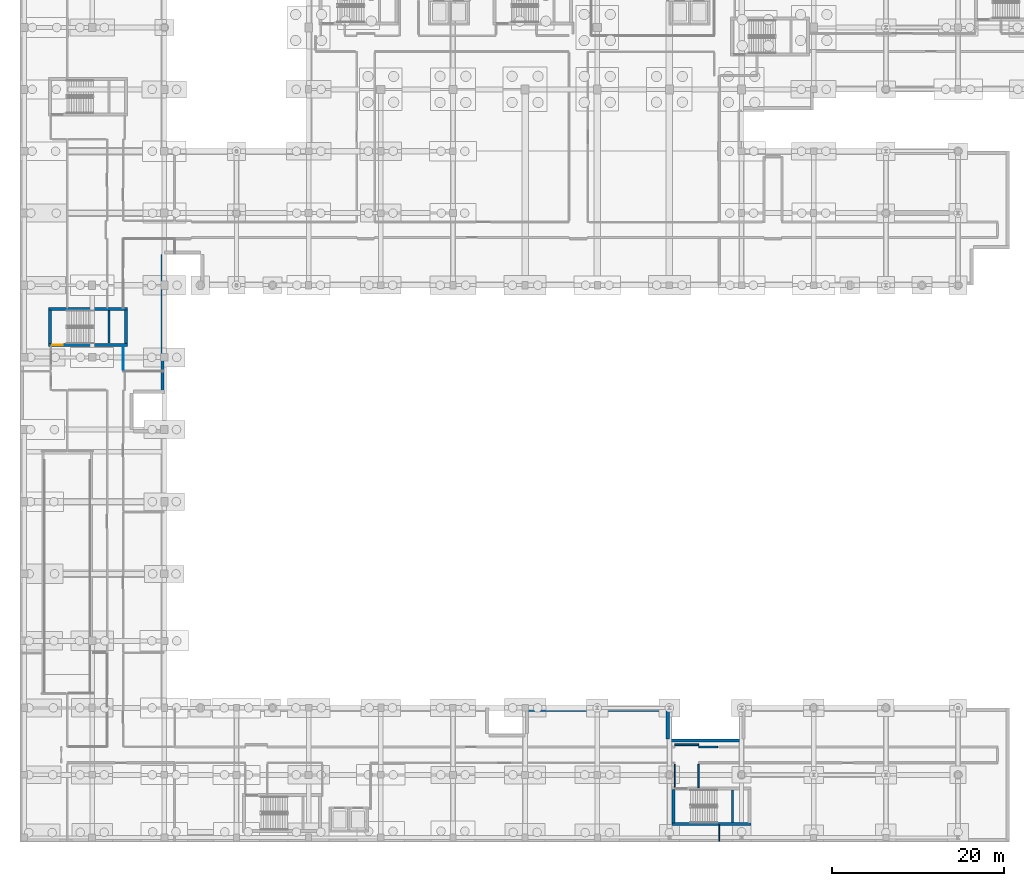
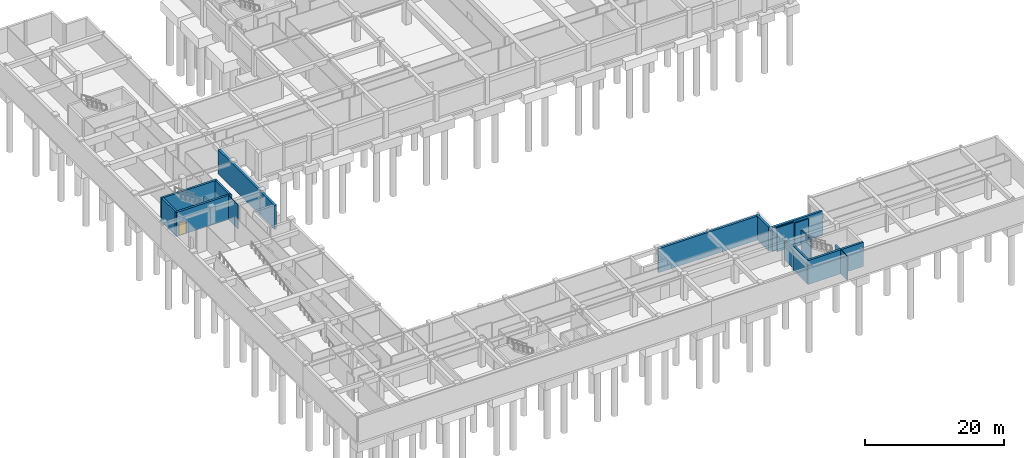
# One storey, part 27 of 42: 19 walls, 1 door, 1 opening.
"""IFC4 building model written with IfcOpenShell, lengths in metres."""

import ifcopenshell
import ifcopenshell.guid

model = None  # the IFC model being written
_history = None  # IfcOwnerHistory: only IFC2X3 demands one
_inside = {}  # id of a spatial element -> (the spatial element, [elements in it])
_under = {}  # id of a project, library or spatial element -> (it, [spatial elements below it])
_declared = {}  # id of a project -> (the project, [libraries it declares])
_typed = {}  # id of a type object -> (the type object, [elements of that type])
_made_of = {}  # id of a material, layer set ... -> (it, [elements and type objects made of it])


def new_model(schema):
    """Start an empty IFC model of exactly this schema.

    Asked for "IFC4X3", IfcOpenShell would pick the latest addendum, in which some entities
    have other attributes; the version numbers below select the first issue.
    IFC2X3 requires an IfcOwnerHistory on every rooted entity: one is made here for all.
    """
    global model, _history
    if schema == "IFC4X3":
        model = ifcopenshell.file(schema_version=(4, 3, 0, 0))
    else:
        model = ifcopenshell.file(schema=schema)
    _inside.clear()
    _under.clear()
    _declared.clear()
    _typed.clear()
    _made_of.clear()
    _history = None
    if model.schema == "IFC2X3":
        org = make("IfcOrganization", Name="unknown")
        user = make(
            "IfcPersonAndOrganization",
            ThePerson=make("IfcPerson", FamilyName="unknown"),
            TheOrganization=org,
        )
        app = make(
            "IfcApplication",
            ApplicationDeveloper=org,
            Version="unknown",
            ApplicationFullName="unknown",
            ApplicationIdentifier="unknown",
        )
        _history = make(
            "IfcOwnerHistory",
            OwningUser=user,
            OwningApplication=app,
            ChangeAction="ADDED",
            CreationDate=0,
        )
    return model


def make(cls, **values):
    """One entity of the class cls with the attributes given. An attribute that is None is left unset."""
    return model.create_entity(
        cls, **{name: value for name, value in values.items() if value is not None}
    )


def rooted(cls, **values):
    """An entity with a GlobalId (a new one), such as an element, a storey or a relation."""
    return make(cls, GlobalId=ifcopenshell.guid.new(), OwnerHistory=_history, **values)


def si_unit(unit_type, name, prefix=None):
    """IfcSIUnit, for example si_unit("LENGTHUNIT", "METRE", prefix="MILLI")."""
    return make("IfcSIUnit", UnitType=unit_type, Prefix=prefix, Name=name)


def assignment(units):
    """IfcUnitAssignment: the units of a project."""
    return None if units is None else make("IfcUnitAssignment", Units=units)


def point(xyz):
    """IfcCartesianPoint."""
    return None if xyz is None else make("IfcCartesianPoint", Coordinates=xyz)


def direction(xyz):
    """IfcDirection."""
    return None if xyz is None else make("IfcDirection", DirectionRatios=xyz)


def frame(location, z_axis=None, x_axis=None):
    """IfcAxis2Placement3D, a coordinate frame: its origin and axes. An axis left out is left unset."""
    return make(
        "IfcAxis2Placement3D",
        Location=point(location),
        Axis=direction(z_axis),
        RefDirection=direction(x_axis),
    )


def frame_2d(location, x_axis=None):
    """IfcAxis2Placement2D, a coordinate frame in the plane: its origin and x axis."""
    return make(
        "IfcAxis2Placement2D", Location=point(location), RefDirection=direction(x_axis)
    )


def origin():
    """The frame at (0, 0, 0) with its axes left unset."""
    return frame((0.0, 0.0, 0.0))


def place(relative_to, where):
    """IfcLocalPlacement: puts the frame where relative to a parent placement (None: the world)."""
    return make(
        "IfcLocalPlacement", PlacementRelTo=relative_to, RelativePlacement=where
    )


def context(
    kind, dimensions, precision=None, world=None, true_north=None, identifier=None
):
    """IfcGeometricRepresentationContext, for example the 3D "Model" context."""
    return make(
        "IfcGeometricRepresentationContext",
        ContextIdentifier=identifier,
        ContextType=kind,
        CoordinateSpaceDimension=dimensions,
        Precision=precision,
        WorldCoordinateSystem=world,
        TrueNorth=true_north,
    )


def subcontext(parent, identifier, kind, view, scale=None):
    """IfcGeometricRepresentationSubContext, for example "Body" below "Model"."""
    return make(
        "IfcGeometricRepresentationSubContext",
        ContextIdentifier=identifier,
        ContextType=kind,
        ParentContext=parent,
        TargetScale=scale,
        TargetView=view,
    )


def project(units=None, contexts=None):
    """IfcProject with its units and contexts."""
    return rooted(
        "IfcProject",
        Name="project",
        RepresentationContexts=contexts,
        UnitsInContext=assignment(units),
    )


def spatial(cls, under=None, at=None, **own):
    """A site, building, storey or space (cls), placed at a placement, below another one or the project."""
    s = rooted(cls, ObjectPlacement=at, **own)
    if under is not None:
        _under.setdefault(under.id(), (under, []))[1].append(s)
    return s


def profile(cls, at=None, kind="AREA", **sizes):
    """A parametric profile (cls). Its sizes go by their IFC names, for example OverallWidth=200.0."""
    return make(cls, ProfileType=kind, Position=at, **sizes)


def rectangle(**sizes):
    """IfcRectangleProfileDef."""
    return profile("IfcRectangleProfileDef", **sizes)


def extrude(swept, where, along, depth):
    """IfcExtrudedAreaSolid: the profile swept, set in the frame where, extruded along a direction by depth."""
    return make(
        "IfcExtrudedAreaSolid",
        SweptArea=swept,
        Position=where,
        ExtrudedDirection=direction(along),
        Depth=depth,
    )


def shape(context_of_items, identifier, shape_type, items):
    """IfcShapeRepresentation: the items that make up one representation, for example the "Body"."""
    return make(
        "IfcShapeRepresentation",
        ContextOfItems=context_of_items,
        RepresentationIdentifier=identifier,
        RepresentationType=shape_type,
        Items=items,
    )


def material(Name=None, Category=None):
    """IfcMaterial."""
    return make("IfcMaterial", Name=Name, Category=Category)


def layer(
    of_material, thickness, ventilated=None, Name=None, Category=None, Priority=None
):
    """IfcMaterialLayer: one layer of a wall or slab, of a material (None: an air gap)."""
    return make(
        "IfcMaterialLayer",
        Material=of_material,
        LayerThickness=thickness,
        IsVentilated=ventilated,
        Name=Name,
        Category=Category,
        Priority=Priority,
    )


def layer_set(layers, Name=None):
    """IfcMaterialLayerSet."""
    return make("IfcMaterialLayerSet", MaterialLayers=layers, LayerSetName=Name)


def made_of(thing, what):
    """Note that an element or type object is made of a material, layer set ...; save() writes the relation."""
    if what is not None:
        _made_of.setdefault(what.id(), (what, []))[1].append(thing)
    return thing


def type_object(cls, material=None, **own):
    """A type object (cls), such as IfcWallType, which elements share."""
    return made_of(rooted(cls, **own), material)


def element(
    cls,
    number,
    at=None,
    inside=None,
    cuts=None,
    type_object=None,
    material=None,
    context=None,
    identifier="Body",
    shape_type=None,
    held_by="IfcProductDefinitionShape",
    body=None,
    shapes=None,
    **own,
):
    """One element of the class cls, such as IfcWall. Its Tag is "e" and its number.

    at: its placement. inside: the storey or other place that contains it. cuts: it is an
    opening in that element (IfcRelVoidsElement). A single representation is given by context,
    identifier, shape_type and body (its items); several are given by shapes. held_by: the class
    of the entity that holds the representations. save() writes the other relations.
    """
    e = rooted(cls, Tag="e%d" % number, ObjectPlacement=at, **own)
    if body is not None:
        shapes = [shape(context, identifier, shape_type, body)]
    if shapes is not None:
        e.Representation = make(held_by, Representations=shapes)
    if inside is not None:
        _inside.setdefault(inside.id(), (inside, []))[1].append(e)
    if cuts is not None:
        rooted(
            "IfcRelVoidsElement", RelatingBuildingElement=cuts, RelatedOpeningElement=e
        )
    if type_object is not None:
        _typed.setdefault(type_object.id(), (type_object, []))[1].append(e)
    return made_of(e, material)


def fill(opening, filler):
    """IfcRelFillsElement: the door or window that sits in an opening."""
    return rooted(
        "IfcRelFillsElement",
        RelatingOpeningElement=opening,
        RelatedBuildingElement=filler,
    )


def aggregate(whole, parts):
    """IfcRelAggregates: a whole, such as a stair, and the parts it consists of."""
    return rooted("IfcRelAggregates", RelatingObject=whole, RelatedObjects=parts)


def save(model, path):
    """Write the relations noted so far, then the file.

    IfcRelAggregates (storeys below a building ...), IfcRelContainedInSpatialStructure (elements
    in a storey), IfcRelDefinesByType, IfcRelAssociatesMaterial and IfcRelDeclares: one each for
    every whole, place, type object, material and project.
    """
    for whole, parts in _under.values():
        aggregate(whole, parts)
    for where, things in _inside.values():
        rooted(
            "IfcRelContainedInSpatialStructure",
            RelatedElements=things,
            RelatingStructure=where,
        )
    for kind, things in _typed.values():
        rooted("IfcRelDefinesByType", RelatedObjects=things, RelatingType=kind)
    for what, things in _made_of.values():
        rooted("IfcRelAssociatesMaterial", RelatedObjects=things, RelatingMaterial=what)
    for by, libraries in _declared.values():
        rooted("IfcRelDeclares", RelatingContext=by, RelatedDefinitions=libraries)
    model.write(path)


model = new_model("IFC4")

# Units and contexts
model_context = context("Model", 3, precision=1e-05, world=origin(), true_north=direction((0.0, 1.0)))
body_context = subcontext(model_context, "Body", "Model", "MODEL_VIEW")
ifc_project = project(units=[si_unit("LENGTHUNIT", "METRE"), si_unit("AREAUNIT", "SQUARE_METRE"), si_unit("VOLUMEUNIT", "CUBIC_METRE"), si_unit("PLANEANGLEUNIT", "RADIAN"), si_unit("MASSUNIT", "GRAM", prefix="KILO")], contexts=[model_context])

# Site, building, storey
site_placement = place(None, origin())
site = spatial("IfcSite", under=ifc_project, at=site_placement, CompositionType="ELEMENT")
building_placement = place(site_placement, origin())
building = spatial("IfcBuilding", under=site, at=building_placement, Name="Quendrovan Civic Courthouse", CompositionType="ELEMENT")
storey_placement = place(building_placement, frame((0.0, 0.0, -4.5)))
storey = spatial("IfcBuildingStorey", under=building, at=storey_placement, Name="B1", CompositionType="ELEMENT", Elevation=-4.5)

# Walls
ifc_material_1 = material(Name="Concrete C35/45", Category="concrete")
ifc_layer_1 = layer(ifc_material_1, 0.3798828125, Name="Concrete C35/45")
ifc_layer_set_1 = layer_set([ifc_layer_1], Name="Concrete C35/45")
wall_type_1 = type_object("IfcWallType", Name="WL-BSM-RET380", PredefinedType="SOLIDWALL", material=ifc_layer_set_1)
wall_1_placement = place(storey_placement, frame((16.590087890625, 68.39990234375, 0.0), z_axis=(0.0, 0.0, 1.0), x_axis=(0.0, -1.0, 0.0)))
element("IfcWall", 1, at=wall_1_placement, inside=storey, type_object=wall_type_1, Name="B1 Perimeter Retaining Wall 026", PredefinedType="SOLIDWALL", context=body_context, shape_type="SweptSolid", body=[
    extrude(rectangle(XDim=12.0, YDim=0.3798828125, at=frame_2d((6.0, 0.0))), origin(), (0.0, 0.0, 1.0), 4.219970703125),
])
wall_2_placement = place(storey_placement, frame((16.590087890625, 56.39990234375, 0.0), z_axis=(0.0, 0.0, 1.0), x_axis=(0.0, -1.0, 0.0)))
element("IfcWall", 2, at=wall_2_placement, inside=storey, type_object=wall_type_1, Name="B1 Perimeter Retaining Wall 027", PredefinedType="SOLIDWALL", context=body_context, shape_type="SweptSolid", body=[
    extrude(rectangle(XDim=4.199951171875, YDim=0.3798828125, at=frame_2d((2.10009765625, 0.0))), origin(), (0.0, 0.0, 1.0), 4.219970703125),
])
wall_3_placement = place(storey_placement, frame((58.800048828125, 15.389892578125, 0.0), z_axis=(0.0, 0.0, 1.0), x_axis=(1.0, 0.0, 0.0)))
element("IfcWall", 3, at=wall_3_placement, inside=storey, type_object=wall_type_1, Name="B1 Perimeter Retaining Wall 036", PredefinedType="SOLIDWALL", context=body_context, shape_type="SweptSolid", body=[
    extrude(rectangle(XDim=16.800048828125, YDim=0.3798828125, at=frame_2d((8.39990234375, 0.0))), origin(), (0.0, 0.0, 1.0), 4.219970703125),
])
wall_4_placement = place(storey_placement, frame((75.389892578125, 15.60009765625, 0.0), z_axis=(0.0, 0.0, 1.0), x_axis=(0.0, -1.0, 0.0)))
element("IfcWall", 4, at=wall_4_placement, inside=storey, type_object=wall_type_1, Name="B1 Perimeter Retaining Wall 037", PredefinedType="SOLIDWALL", context=body_context, shape_type="SweptSolid", body=[
    extrude(rectangle(XDim=3.60009765625, YDim=0.3798828125, at=frame_2d((1.800048828125, 0.0))), origin(), (0.0, 0.0, 1.0), 4.219970703125),
])
wall_5_placement = place(storey_placement, frame((75.60009765625, 11.7900390625, 0.0), z_axis=(0.0, 0.0, 1.0), x_axis=(1.0, 0.0, 0.0)))
element("IfcWall", 5, at=wall_5_placement, inside=storey, type_object=wall_type_1, Name="B1 Perimeter Retaining Wall 038", PredefinedType="SOLIDWALL", context=body_context, shape_type="SweptSolid", body=[
    extrude(rectangle(XDim=8.39990234375, YDim=0.3798828125, at=frame_2d((4.199951171875, 0.0))), origin(), (0.0, 0.0, 1.0), 4.219970703125),
])

# Wall, opening, door
ifc_material_2 = material(Name="Concrete C45/55", Category="concrete")
ifc_layer_2 = layer(ifc_material_2, 0.35009765625, Name="Concrete C45/55")
ifc_layer_set_2 = layer_set([ifc_layer_2], Name="Concrete C45/55")
wall_type_2 = type_object("IfcWallType", Name="WL-CORE-350", PredefinedType="SHEAR", material=ifc_layer_set_2)
wall_6_placement = place(storey_placement, frame((3.2900390625, 57.864990234375, 0.0), z_axis=(0.0, 0.0, 1.0), x_axis=(1.0, 0.0, 0.0)))
wall_6 = element("IfcWall", 6, at=wall_6_placement, inside=storey, type_object=wall_type_2, Name="B1 Core Shear Wall ST4-S", PredefinedType="SHEAR", context=body_context, shape_type="SweptSolid", body=[
    extrude(rectangle(XDim=9.219970703125, YDim=0.35009765625, at=frame_2d((4.60986328125, 0.0))), origin(), (0.0, 0.0, 1.0), 4.219970703125),
])
opening_placement = place(wall_6_placement, frame((0.449951171875, 0.0, 0.0)))
opening = element("IfcOpeningElement", 7, at=opening_placement, cuts=wall_6, Name="Opening DS-ST4-B1", PredefinedType="OPENING", context=body_context, shape_type="SweptSolid", body=[
    extrude(rectangle(XDim=1.25, YDim=2.199951171875, at=frame_2d((0.625, 1.10009765625))), frame((0.0, 0.18505859375, 0.0), z_axis=(0.0, -1.0, 0.0), x_axis=(1.0, 0.0, 0.0)), (0.0, 0.0, 1.0), 0.3701171875),
])
ifc_material_3 = material(Name="Painted galvanized hollow-metal steel", Category="steel")
door_type = type_object("IfcDoorType", Name="DR-STAIR-1250", OperationType="NOTDEFINED", PredefinedType="DOOR", material=ifc_material_3)
door_placement = place(opening_placement, origin())
door = element("IfcDoor", 8, at=door_placement, inside=storey, type_object=door_type, Name="B1 Exit Stair ST4 Fire Door", OperationType="SINGLE_SWING_LEFT", OverallHeight=2.199951171875, OverallWidth=1.25, PredefinedType="DOOR", context=body_context, shape_type="SweptSolid", body=[
    extrude(rectangle(XDim=1.25, YDim=2.199951171875, at=frame_2d((0.625, 1.10009765625))), frame((0.0, 0.02490234375, 0.0), z_axis=(0.0, -1.0, 0.0), x_axis=(1.0, 0.0, 0.0)), (0.0, 0.0, 1.0), 0.050048828125),
])
fill(opening, door)

# Walls
wall_7_placement = place(storey_placement, frame((12.510009765625, 62.034912109375, 0.0), z_axis=(0.0, 0.0, 1.0), x_axis=(-1.0, 0.0, 0.0)))
element("IfcWall", 9, at=wall_7_placement, inside=storey, type_object=wall_type_2, Name="B1 Core Shear Wall ST4-N", PredefinedType="SHEAR", context=body_context, shape_type="SweptSolid", body=[
    extrude(rectangle(XDim=9.219970703125, YDim=0.35009765625, at=frame_2d((4.60986328125, 0.0))), origin(), (0.0, 0.0, 1.0), 4.219970703125),
])
for number, where, z_axis, x_axis, name in (
    (10, (3.465087890625, 58.0, 0.0), (0.0, 0.0, 1.0), (0.0, 1.0, 0.0), "B1 Core Shear Wall ST4-W"),
    (11, (12.3349609375, 61.89990234375, 0.0), (0.0, 0.0, 1.0), (0.0, -1.0, 0.0), "B1 Core Shear Wall ST4-E"),
):
    element("IfcWall", number, at=place(storey_placement, frame(where, z_axis=z_axis, x_axis=x_axis)), inside=storey, type_object=wall_type_2, Name=name, PredefinedType="SHEAR", context=body_context, shape_type="SweptSolid", body=[
        extrude(rectangle(XDim=3.89990234375, YDim=0.35009765625, at=frame_2d((1.949951171875, 0.0))), origin(), (0.0, 0.0, 1.0), 4.219970703125),
    ])
wall_8_placement = place(storey_placement, frame((75.889892578125, 2.06494140625, 0.0), z_axis=(0.0, 0.0, 1.0), x_axis=(1.0, 0.0, 0.0)))
element("IfcWall", 12, at=wall_8_placement, inside=storey, type_object=wall_type_2, Name="B1 Core Shear Wall ST7-S", PredefinedType="SHEAR", context=body_context, shape_type="SweptSolid", body=[
    extrude(rectangle(XDim=9.22021484375, YDim=0.35009765625, at=frame_2d((4.610107421875, 0.0))), origin(), (0.0, 0.0, 1.0), 4.219970703125),
])
wall_9_placement = place(storey_placement, frame((76.06494140625, 2.199951171875, 0.0), z_axis=(0.0, 0.0, 1.0), x_axis=(0.0, 1.0, 0.0)))
element("IfcWall", 13, at=wall_9_placement, inside=storey, type_object=wall_type_2, Name="B1 Core Shear Wall ST7-W", PredefinedType="SHEAR", context=body_context, shape_type="SweptSolid", body=[
    extrude(rectangle(XDim=3.900146484375, YDim=0.35009765625, at=frame_2d((1.9501953125, 0.0))), origin(), (0.0, 0.0, 1.0), 4.219970703125),
])
ifc_material_4 = material(Name="Concrete C40/50", Category="concrete")
ifc_layer_3 = layer(ifc_material_4, 0.199951171875, Name="Concrete C40/50")
ifc_layer_set_3 = layer_set([ifc_layer_3], Name="Concrete C40/50")
wall_type_3 = type_object("IfcWallType", Name="WL-CUST-200", PredefinedType="PARTITIONING", material=ifc_layer_set_3)
wall_10_placement = place(storey_placement, frame((79.0, 6.320068359375, 0.0), z_axis=(0.0, 0.0, 1.0), x_axis=(0.0, 1.0, 0.0)))
element("IfcWall", 14, at=wall_10_placement, inside=storey, type_object=wall_type_3, Name="B1 Basement Custody Holding Suite 2 Partition 0109", PredefinedType="PARTITIONING", context=body_context, shape_type="SweptSolid", body=[
    extrude(rectangle(XDim=2.699951171875, YDim=0.199951171875, at=frame_2d((1.35009765625, 0.0))), origin(), (0.0, 0.0, 1.0), 4.219970703125),
])
wall_11_placement = place(storey_placement, frame((79.0, 11.300048828125, 0.0), z_axis=(0.0, 0.0, 1.0), x_axis=(-1.0, 0.0, 0.0)))
element("IfcWall", 15, at=wall_11_placement, inside=storey, type_object=wall_type_3, Name="B1 Basement Custody Holding Suite 3 Partition 0110", PredefinedType="PARTITIONING", context=body_context, shape_type="SweptSolid", body=[
    extrude(rectangle(XDim=2.800048828125, YDim=0.199951171875, at=frame_2d((1.39990234375, 0.0))), origin(), (0.0, 0.0, 1.0), 4.219970703125),
])
wall_12_placement = place(storey_placement, frame((81.2099609375, 11.050048828125, 0.0), z_axis=(0.0, 0.0, 1.0), x_axis=(-1.0, 0.0, 0.0)))
element("IfcWall", 16, at=wall_12_placement, inside=storey, type_object=wall_type_3, Name="B1 Basement Custody Holding Suite 3 Partition 0119", PredefinedType="PARTITIONING", context=body_context, shape_type="SweptSolid", body=[
    extrude(rectangle(XDim=2.2099609375, YDim=0.199951171875, at=frame_2d((1.10498046875, 0.0))), origin(), (0.0, 0.0, 1.0), 4.219970703125),
])
ifc_material_5 = material(Name="Gypsum stud partition")
ifc_layer_4 = layer(ifc_material_5, 0.1298828125, Name="Gypsum stud partition")
ifc_layer_set_4 = layer_set([ifc_layer_4], Name="Gypsum stud partition")
wall_type_4 = type_object("IfcWallType", Name="WL-REG-130", PredefinedType="PARTITIONING", material=ifc_layer_set_4)
wall_13_placement = place(storey_placement, frame((76.199951171875, 9.054931640625, 0.0), z_axis=(0.0, 0.0, 1.0), x_axis=(0.0, -1.0, 0.0)))
element("IfcWall", 17, at=wall_13_placement, inside=storey, type_object=wall_type_4, Name="B1 Basement Judicial Car Park 2 Partition 0108", PredefinedType="PARTITIONING", context=body_context, shape_type="SweptSolid", body=[
    extrude(rectangle(XDim=2.73486328125, YDim=0.1298828125, at=frame_2d((1.367431640625, 0.0))), origin(), (0.0, 0.0, 1.0), 3.409912109375),
])
wall_14_placement = place(storey_placement, frame((81.389892578125, 1.97998046875, 0.0), z_axis=(0.0, 0.0, 1.0), x_axis=(0.0, -1.0, 0.0)))
element("IfcWall", 18, at=wall_14_placement, inside=storey, type_object=wall_type_4, Name="B1 Basement Judicial Car Park 2 Partition 0137", PredefinedType="PARTITIONING", context=body_context, shape_type="SweptSolid", body=[
    extrude(rectangle(XDim=1.919921875, YDim=0.1298828125, at=frame_2d((0.9599609375, 0.0))), origin(), (0.0, 0.0, 1.0), 4.219970703125),
])
ifc_layer_5 = layer(ifc_material_2, 0.25, Name="Concrete C45/55")
ifc_layer_set_5 = layer_set([ifc_layer_5], Name="Concrete C45/55")
wall_type_5 = type_object("IfcWallType", Name="WL-SHAFT-250", PredefinedType="SHEAR", material=ifc_layer_set_5)
for number, where, z_axis, x_axis, name in (
    (19, (10.35009765625, 58.050048828125, 0.0), (0.0, 0.0, 1.0), (0.0, 1.0, 0.0), "B1 Stair ST4 Mid-Landing Bearing Wall"),
    (20, (82.949951171875, 2.25, 0.0), (0.0, 0.0, 1.0), (0.0, 1.0, 0.0), "B1 Stair ST7 Mid-Landing Bearing Wall"),
):
    element("IfcWall", number, at=place(storey_placement, frame(where, z_axis=z_axis, x_axis=x_axis)), inside=storey, type_object=wall_type_5, Name=name, PredefinedType="SHEAR", context=body_context, shape_type="SweptSolid", body=[
        extrude(rectangle(XDim=3.800048828125, YDim=0.25, at=frame_2d((1.89990234375, 0.0))), origin(), (0.0, 0.0, 1.0), 2.070068359375),
    ])
ifc_material_6 = material(Name="Moisture-resistant tile-backer partition")
ifc_layer_6 = layer(ifc_material_6, 0.110107421875, Name="Moisture-resistant tile-backer partition")
ifc_layer_set_6 = layer_set([ifc_layer_6], Name="Moisture-resistant tile-backer partition")
wall_type_6 = type_object("IfcWallType", Name="WL-WET-110", PredefinedType="PARTITIONING", material=ifc_layer_set_6)
wall_15_placement = place(storey_placement, frame((12.0, 54.93505859375, 0.0), z_axis=(0.0, 0.0, 1.0), x_axis=(0.0, 1.0, 0.0)))
element("IfcWall", 21, at=wall_15_placement, inside=storey, type_object=wall_type_6, Name="B1 Rainwater Cistern and Water Treatment Room 3 Partition 0103", PredefinedType="PARTITIONING", context=body_context, shape_type="SweptSolid", body=[
    extrude(rectangle(XDim=2.844970703125, YDim=0.110107421875, at=frame_2d((1.42236328125, 0.0))), origin(), (0.0, 0.0, 1.0), 4.219970703125),
])

save(model, "model.ifc")
